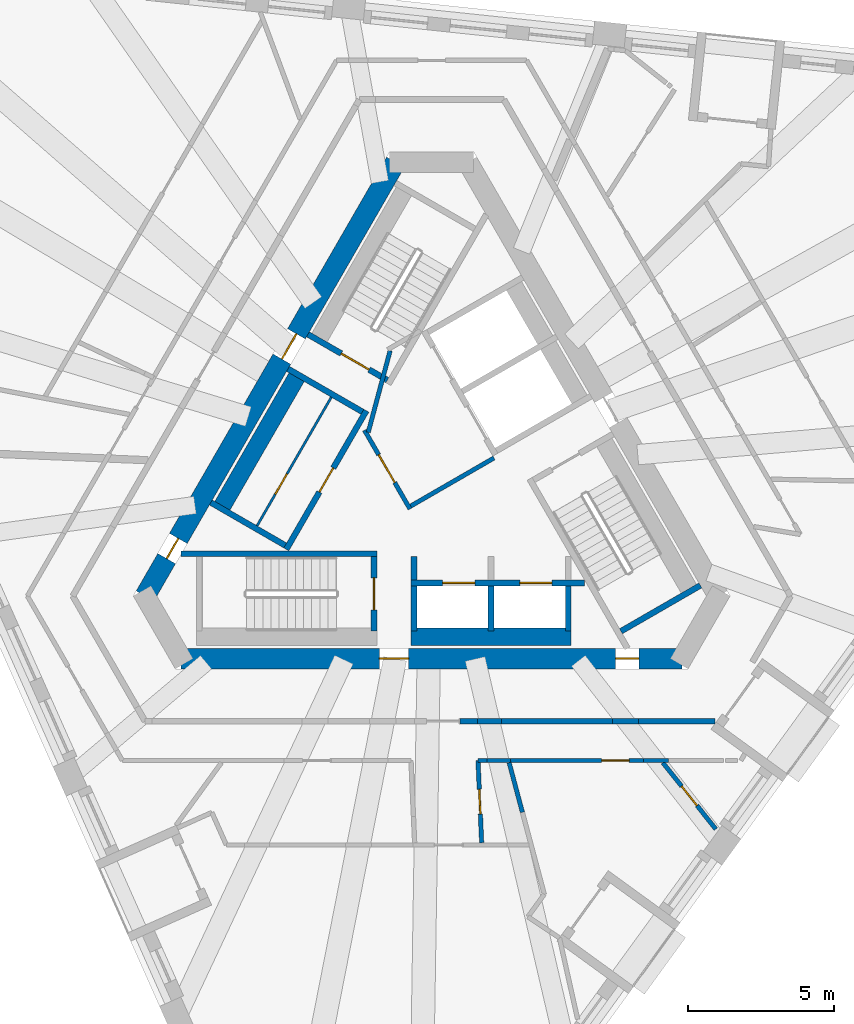
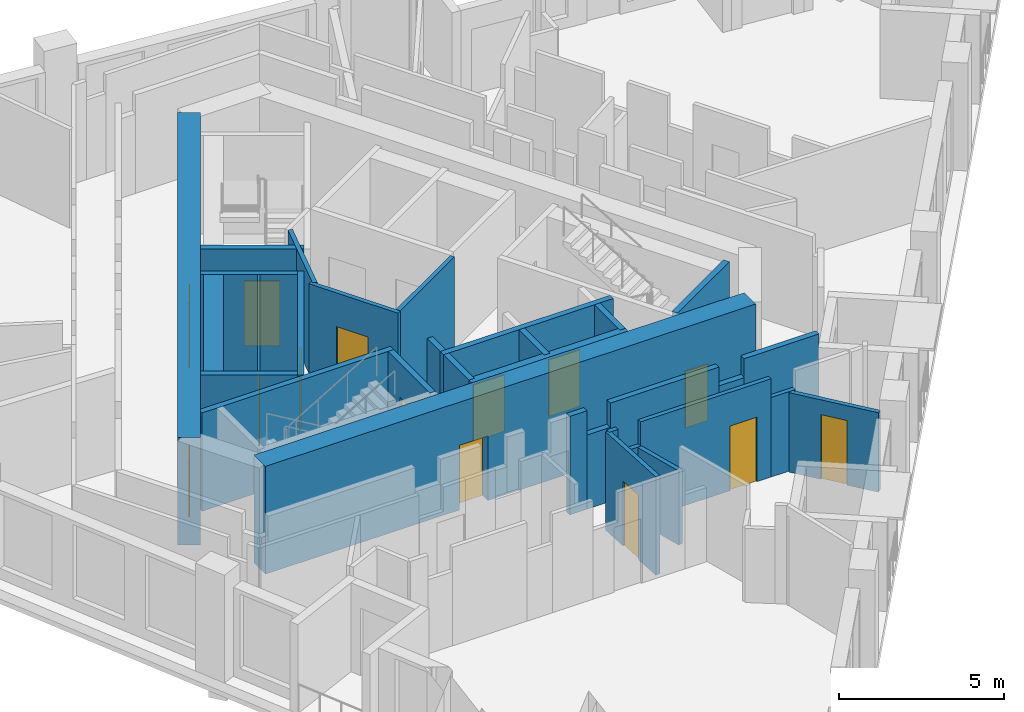
# One storey, part 4 of 11: 32 walls, 14 doors, 14 openings.
"""IFC4 building model written with IfcOpenShell, lengths in metres."""

import ifcopenshell
import ifcopenshell.guid

model = None  # the IFC model being written
_history = None  # IfcOwnerHistory: only IFC2X3 demands one
_inside = {}  # id of a spatial element -> (the spatial element, [elements in it])
_under = {}  # id of a project, library or spatial element -> (it, [spatial elements below it])
_declared = {}  # id of a project -> (the project, [libraries it declares])
_typed = {}  # id of a type object -> (the type object, [elements of that type])
_made_of = {}  # id of a material, layer set ... -> (it, [elements and type objects made of it])


def new_model(schema):
    """Start an empty IFC model of exactly this schema.

    Asked for "IFC4X3", IfcOpenShell would pick the latest addendum, in which some entities
    have other attributes; the version numbers below select the first issue.
    IFC2X3 requires an IfcOwnerHistory on every rooted entity: one is made here for all.
    """
    global model, _history
    if schema == "IFC4X3":
        model = ifcopenshell.file(schema_version=(4, 3, 0, 0))
    else:
        model = ifcopenshell.file(schema=schema)
    _inside.clear()
    _under.clear()
    _declared.clear()
    _typed.clear()
    _made_of.clear()
    _history = None
    if model.schema == "IFC2X3":
        org = make("IfcOrganization", Name="unknown")
        user = make(
            "IfcPersonAndOrganization",
            ThePerson=make("IfcPerson", FamilyName="unknown"),
            TheOrganization=org,
        )
        app = make(
            "IfcApplication",
            ApplicationDeveloper=org,
            Version="unknown",
            ApplicationFullName="unknown",
            ApplicationIdentifier="unknown",
        )
        _history = make(
            "IfcOwnerHistory",
            OwningUser=user,
            OwningApplication=app,
            ChangeAction="ADDED",
            CreationDate=0,
        )
    return model


def make(cls, **values):
    """One entity of the class cls with the attributes given. An attribute that is None is left unset."""
    return model.create_entity(
        cls, **{name: value for name, value in values.items() if value is not None}
    )


def rooted(cls, **values):
    """An entity with a GlobalId (a new one), such as an element, a storey or a relation."""
    return make(cls, GlobalId=ifcopenshell.guid.new(), OwnerHistory=_history, **values)


def si_unit(unit_type, name, prefix=None):
    """IfcSIUnit, for example si_unit("LENGTHUNIT", "METRE", prefix="MILLI")."""
    return make("IfcSIUnit", UnitType=unit_type, Prefix=prefix, Name=name)


def assignment(units):
    """IfcUnitAssignment: the units of a project."""
    return None if units is None else make("IfcUnitAssignment", Units=units)


def point(xyz):
    """IfcCartesianPoint."""
    return None if xyz is None else make("IfcCartesianPoint", Coordinates=xyz)


def direction(xyz):
    """IfcDirection."""
    return None if xyz is None else make("IfcDirection", DirectionRatios=xyz)


def frame(location, z_axis=None, x_axis=None):
    """IfcAxis2Placement3D, a coordinate frame: its origin and axes. An axis left out is left unset."""
    return make(
        "IfcAxis2Placement3D",
        Location=point(location),
        Axis=direction(z_axis),
        RefDirection=direction(x_axis),
    )


def frame_2d(location, x_axis=None):
    """IfcAxis2Placement2D, a coordinate frame in the plane: its origin and x axis."""
    return make(
        "IfcAxis2Placement2D", Location=point(location), RefDirection=direction(x_axis)
    )


def origin():
    """The frame at (0, 0, 0) with its axes left unset."""
    return frame((0.0, 0.0, 0.0))


def place(relative_to, where):
    """IfcLocalPlacement: puts the frame where relative to a parent placement (None: the world)."""
    return make(
        "IfcLocalPlacement", PlacementRelTo=relative_to, RelativePlacement=where
    )


def context(
    kind, dimensions, precision=None, world=None, true_north=None, identifier=None
):
    """IfcGeometricRepresentationContext, for example the 3D "Model" context."""
    return make(
        "IfcGeometricRepresentationContext",
        ContextIdentifier=identifier,
        ContextType=kind,
        CoordinateSpaceDimension=dimensions,
        Precision=precision,
        WorldCoordinateSystem=world,
        TrueNorth=true_north,
    )


def subcontext(parent, identifier, kind, view, scale=None):
    """IfcGeometricRepresentationSubContext, for example "Body" below "Model"."""
    return make(
        "IfcGeometricRepresentationSubContext",
        ContextIdentifier=identifier,
        ContextType=kind,
        ParentContext=parent,
        TargetScale=scale,
        TargetView=view,
    )


def project(units=None, contexts=None):
    """IfcProject with its units and contexts."""
    return rooted(
        "IfcProject",
        Name="project",
        RepresentationContexts=contexts,
        UnitsInContext=assignment(units),
    )


def spatial(cls, under=None, at=None, **own):
    """A site, building, storey or space (cls), placed at a placement, below another one or the project."""
    s = rooted(cls, ObjectPlacement=at, **own)
    if under is not None:
        _under.setdefault(under.id(), (under, []))[1].append(s)
    return s


def profile(cls, at=None, kind="AREA", **sizes):
    """A parametric profile (cls). Its sizes go by their IFC names, for example OverallWidth=200.0."""
    return make(cls, ProfileType=kind, Position=at, **sizes)


def rectangle(**sizes):
    """IfcRectangleProfileDef."""
    return profile("IfcRectangleProfileDef", **sizes)


def extrude(swept, where, along, depth):
    """IfcExtrudedAreaSolid: the profile swept, set in the frame where, extruded along a direction by depth."""
    return make(
        "IfcExtrudedAreaSolid",
        SweptArea=swept,
        Position=where,
        ExtrudedDirection=direction(along),
        Depth=depth,
    )


def shape(context_of_items, identifier, shape_type, items):
    """IfcShapeRepresentation: the items that make up one representation, for example the "Body"."""
    return make(
        "IfcShapeRepresentation",
        ContextOfItems=context_of_items,
        RepresentationIdentifier=identifier,
        RepresentationType=shape_type,
        Items=items,
    )


def material(Name=None, Category=None):
    """IfcMaterial."""
    return make("IfcMaterial", Name=Name, Category=Category)


def layer(
    of_material, thickness, ventilated=None, Name=None, Category=None, Priority=None
):
    """IfcMaterialLayer: one layer of a wall or slab, of a material (None: an air gap)."""
    return make(
        "IfcMaterialLayer",
        Material=of_material,
        LayerThickness=thickness,
        IsVentilated=ventilated,
        Name=Name,
        Category=Category,
        Priority=Priority,
    )


def layer_set(layers, Name=None):
    """IfcMaterialLayerSet."""
    return make("IfcMaterialLayerSet", MaterialLayers=layers, LayerSetName=Name)


def made_of(thing, what):
    """Note that an element or type object is made of a material, layer set ...; save() writes the relation."""
    if what is not None:
        _made_of.setdefault(what.id(), (what, []))[1].append(thing)
    return thing


def type_object(cls, material=None, **own):
    """A type object (cls), such as IfcWallType, which elements share."""
    return made_of(rooted(cls, **own), material)


def element(
    cls,
    number,
    at=None,
    inside=None,
    cuts=None,
    type_object=None,
    material=None,
    context=None,
    identifier="Body",
    shape_type=None,
    held_by="IfcProductDefinitionShape",
    body=None,
    shapes=None,
    **own,
):
    """One element of the class cls, such as IfcWall. Its Tag is "e" and its number.

    at: its placement. inside: the storey or other place that contains it. cuts: it is an
    opening in that element (IfcRelVoidsElement). A single representation is given by context,
    identifier, shape_type and body (its items); several are given by shapes. held_by: the class
    of the entity that holds the representations. save() writes the other relations.
    """
    e = rooted(cls, Tag="e%d" % number, ObjectPlacement=at, **own)
    if body is not None:
        shapes = [shape(context, identifier, shape_type, body)]
    if shapes is not None:
        e.Representation = make(held_by, Representations=shapes)
    if inside is not None:
        _inside.setdefault(inside.id(), (inside, []))[1].append(e)
    if cuts is not None:
        rooted(
            "IfcRelVoidsElement", RelatingBuildingElement=cuts, RelatedOpeningElement=e
        )
    if type_object is not None:
        _typed.setdefault(type_object.id(), (type_object, []))[1].append(e)
    return made_of(e, material)


def fill(opening, filler):
    """IfcRelFillsElement: the door or window that sits in an opening."""
    return rooted(
        "IfcRelFillsElement",
        RelatingOpeningElement=opening,
        RelatedBuildingElement=filler,
    )


def aggregate(whole, parts):
    """IfcRelAggregates: a whole, such as a stair, and the parts it consists of."""
    return rooted("IfcRelAggregates", RelatingObject=whole, RelatedObjects=parts)


def save(model, path):
    """Write the relations noted so far, then the file.

    IfcRelAggregates (storeys below a building ...), IfcRelContainedInSpatialStructure (elements
    in a storey), IfcRelDefinesByType, IfcRelAssociatesMaterial and IfcRelDeclares: one each for
    every whole, place, type object, material and project.
    """
    for whole, parts in _under.values():
        aggregate(whole, parts)
    for where, things in _inside.values():
        rooted(
            "IfcRelContainedInSpatialStructure",
            RelatedElements=things,
            RelatingStructure=where,
        )
    for kind, things in _typed.values():
        rooted("IfcRelDefinesByType", RelatedObjects=things, RelatingType=kind)
    for what, things in _made_of.values():
        rooted("IfcRelAssociatesMaterial", RelatedObjects=things, RelatingMaterial=what)
    for by, libraries in _declared.values():
        rooted("IfcRelDeclares", RelatingContext=by, RelatedDefinitions=libraries)
    model.write(path)


model = new_model("IFC4")

# Units and contexts
model_context = context("Model", 3, precision=1e-05, world=origin(), true_north=direction((0.0, 1.0)))
body_context = subcontext(model_context, "Body", "Model", "MODEL_VIEW")
ifc_project = project(units=[si_unit("LENGTHUNIT", "METRE"), si_unit("AREAUNIT", "SQUARE_METRE"), si_unit("VOLUMEUNIT", "CUBIC_METRE"), si_unit("PLANEANGLEUNIT", "RADIAN"), si_unit("MASSUNIT", "GRAM", prefix="KILO")], contexts=[model_context])

# Site, building, storey
site_placement = place(None, origin())
site = spatial("IfcSite", under=ifc_project, at=site_placement, CompositionType="ELEMENT")
building_placement = place(site_placement, origin())
building = spatial("IfcBuilding", under=site, at=building_placement, Name="Tramontana Tower", CompositionType="ELEMENT")
storey_placement = place(building_placement, frame((0.0, 0.0, 261.199951171875)))
storey = spatial("IfcBuildingStorey", under=building, at=storey_placement, Name="L61", CompositionType="ELEMENT", Elevation=261.199951171875)

# Wall, openings, doors
ifc_material_1 = material(Name="Concrete 70 MPa", Category="concrete")
ifc_layer_1 = layer(ifc_material_1, 0.699951171875)
ifc_layer_set_1 = layer_set([ifc_layer_1], Name="Core wall 700 70 MPa")
wall_type_1 = type_object("IfcWallType", Name="Core wall 700 70 MPa", PredefinedType="SHEAR", material=ifc_layer_set_1)
wall_1_placement = place(storey_placement, frame((-1.2412109375, 10.64990234375, 0.0), z_axis=(0.0, 0.0, 1.0), x_axis=(-0.500003331888, -0.866023480109, 0.0)))
wall_1 = element("IfcWall", 1, at=wall_1_placement, inside=storey, type_object=wall_type_1, Name="Core wall C1 L61", PredefinedType="SHEAR", context=body_context, shape_type="SweptSolid", body=[
    extrude(rectangle(XDim=17.205078125, YDim=0.699951171875, at=frame_2d((8.6025390625, 0.0))), origin(), (0.0, 0.0, 1.0), 4.0),
])
opening_1_placement = place(wall_1_placement, frame((6.8076171875, 0.0, 0.0)))
opening_1 = element("IfcOpeningElement", 2, at=opening_1_placement, cuts=wall_1, Name="Opening RG1", PredefinedType="OPENING", context=body_context, shape_type="SweptSolid", body=[
    extrude(rectangle(XDim=1.0, YDim=2.39990234375, at=frame_2d((0.5, 1.199951171875))), frame((0.0, 0.35986328125, 0.0), z_axis=(0.0, -1.0, 0.0), x_axis=(1.0, 0.0, 0.0)), (0.0, 0.0, 1.0), 0.719970703125),
])
opening_2_placement = place(wall_1_placement, frame((14.921630859375, 0.0, 0.0)))
opening_2 = element("IfcOpeningElement", 3, at=opening_2_placement, cuts=wall_1, Name="Opening PD1", PredefinedType="OPENING", context=body_context, shape_type="SweptSolid", body=[
    extrude(rectangle(XDim=0.800048828125, YDim=2.10009765625, at=frame_2d((0.39990234375, 1.050048828125))), frame((0.0, 0.35986328125, 0.0), z_axis=(0.0, -1.0, 0.0), x_axis=(1.0, 0.0, 0.0)), (0.0, 0.0, 1.0), 0.719970703125),
])
ifc_material_2 = material(Name="Painted steel", Category="steel")
door_type_1 = type_object("IfcDoorType", Name="CUPBOARD DOOR 800", OperationType="SINGLE_SWING_LEFT", PredefinedType="DOOR", material=ifc_material_2)
door_1_placement = place(opening_2_placement, origin())
door_1 = element("IfcDoor", 4, at=door_1_placement, inside=storey, type_object=door_type_1, Name="Door PD1", OperationType="SINGLE_SWING_LEFT", OverallHeight=2.10009765625, OverallWidth=0.800048828125, PredefinedType="DOOR", context=body_context, shape_type="SweptSolid", body=[
    extrude(rectangle(XDim=0.800048828125, YDim=2.10009765625, at=frame_2d((0.39990234375, 1.050048828125))), frame((0.0, 0.02490234375, 0.0), z_axis=(0.0, -1.0, 0.0), x_axis=(1.0, 0.0, 0.0)), (0.0, 0.0, 1.0), 0.050048828125),
])
fill(opening_2, door_1)
ifc_material_3 = material(Name="Painted steel", Category="steel")
door_type_2 = type_object("IfcDoorType", Name="RING DOOR 1000", OperationType="SINGLE_SWING_LEFT", PredefinedType="DOOR", material=ifc_material_3)
door_2_placement = place(opening_1_placement, origin())
door_2 = element("IfcDoor", 5, at=door_2_placement, inside=storey, type_object=door_type_2, Name="Door RG1", OperationType="SINGLE_SWING_RIGHT", OverallHeight=2.39990234375, OverallWidth=1.0, PredefinedType="DOOR", context=body_context, shape_type="SweptSolid", body=[
    extrude(rectangle(XDim=1.0, YDim=2.39990234375, at=frame_2d((0.5, 1.199951171875))), frame((0.0, 0.02490234375, 0.0), z_axis=(0.0, -1.0, 0.0), x_axis=(1.0, 0.0, 0.0)), (0.0, 0.0, 1.0), 0.050048828125),
])
fill(opening_1, door_2)

wall_2_placement = place(storey_placement, frame((-8.6025390625, -6.39990234375, 0.0), z_axis=(0.0, 0.0, 1.0), x_axis=(1.0, 0.0, 0.0)))
wall_2 = element("IfcWall", 6, at=wall_2_placement, inside=storey, type_object=wall_type_1, Name="Core wall C3 L61", PredefinedType="SHEAR", context=body_context, shape_type="SweptSolid", body=[
    extrude(rectangle(XDim=17.205078125, YDim=0.699951171875, at=frame_2d((8.6025390625, 0.0))), origin(), (0.0, 0.0, 1.0), 4.0),
])
opening_3_placement = place(wall_2_placement, frame((6.8076171875, 0.0, 0.0)))
opening_3 = element("IfcOpeningElement", 7, at=opening_3_placement, cuts=wall_2, Name="Opening RG2", PredefinedType="OPENING", context=body_context, shape_type="SweptSolid", body=[
    extrude(rectangle(XDim=1.0, YDim=2.39990234375, at=frame_2d((0.5, 1.199951171875))), frame((0.0, 0.35986328125, 0.0), z_axis=(0.0, -1.0, 0.0), x_axis=(1.0, 0.0, 0.0)), (0.0, 0.0, 1.0), 0.719970703125),
])
opening_4_placement = place(wall_2_placement, frame((14.921630859375, 0.0, 0.0)))
opening_4 = element("IfcOpeningElement", 8, at=opening_4_placement, cuts=wall_2, Name="Opening PD2", PredefinedType="OPENING", context=body_context, shape_type="SweptSolid", body=[
    extrude(rectangle(XDim=0.800048828125, YDim=2.10009765625, at=frame_2d((0.39990234375, 1.050048828125))), frame((0.0, 0.35986328125, 0.0), z_axis=(0.0, -1.0, 0.0), x_axis=(1.0, 0.0, 0.0)), (0.0, 0.0, 1.0), 0.719970703125),
])
door_3_placement = place(opening_4_placement, origin())
door_3 = element("IfcDoor", 9, at=door_3_placement, inside=storey, type_object=door_type_1, Name="Door PD2", OperationType="SINGLE_SWING_RIGHT", OverallHeight=2.10009765625, OverallWidth=0.800048828125, PredefinedType="DOOR", context=body_context, shape_type="SweptSolid", body=[
    extrude(rectangle(XDim=0.800048828125, YDim=2.10009765625, at=frame_2d((0.39990234375, 1.050048828125))), frame((0.0, 0.02490234375, 0.0), z_axis=(0.0, -1.0, 0.0), x_axis=(1.0, 0.0, 0.0)), (0.0, 0.0, 1.0), 0.050048828125),
])
fill(opening_4, door_3)
door_4_placement = place(opening_3_placement, origin())
door_4 = element("IfcDoor", 10, at=door_4_placement, inside=storey, type_object=door_type_2, Name="Door RG2", OperationType="SINGLE_SWING_LEFT", OverallHeight=2.39990234375, OverallWidth=1.0, PredefinedType="DOOR", context=body_context, shape_type="SweptSolid", body=[
    extrude(rectangle(XDim=1.0, YDim=2.39990234375, at=frame_2d((0.5, 1.199951171875))), frame((0.0, 0.02490234375, 0.0), z_axis=(0.0, -1.0, 0.0), x_axis=(1.0, 0.0, 0.0)), (0.0, 0.0, 1.0), 0.050048828125),
])
fill(opening_3, door_4)

# Walls
ifc_material_4 = material(Name="Blockwork", Category="masonry")
ifc_layer_2 = layer(ifc_material_4, 0.199951171875)
ifc_layer_set_2 = layer_set([ifc_layer_2], Name="ENTRY WALL 200")
wall_type_2 = type_object("IfcWallType", Name="ENTRY WALL 200", PredefinedType="SOLIDWALL", material=ifc_layer_set_2)
wall_3_placement = place(storey_placement, frame((9.724609375, -8.550048828125, 0.0), z_axis=(0.0, 0.0, 1.0), x_axis=(-1.0, 0.0, 0.0)))
element("IfcWall", 11, at=wall_3_placement, inside=storey, type_object=wall_type_2, Name="Wall v62-ew1-0", PredefinedType="SOLIDWALL", context=body_context, shape_type="SweptSolid", body=[
    extrude(rectangle(XDim=2.62548828125, YDim=0.199951171875, at=frame_2d((1.312744140625, 0.0))), origin(), (0.0, 0.0, 1.0), 3.650146484375),
])
wall_4_placement = place(storey_placement, frame((7.09912109375, -8.550048828125, 0.0), z_axis=(0.0, 0.0, 1.0), x_axis=(-1.0, 0.0, 0.0)))
element("IfcWall", 12, at=wall_4_placement, inside=storey, type_object=wall_type_2, Name="Wall v62-ew1-1", PredefinedType="SOLIDWALL", context=body_context, shape_type="SweptSolid", body=[
    extrude(rectangle(XDim=0.88720703125, YDim=0.199951171875, at=frame_2d((0.443603515625, 0.0))), origin(), (0.0, 0.0, 1.0), 2.949951171875),
])
wall_5_placement = place(storey_placement, frame((6.2119140625, -8.550048828125, 0.0), z_axis=(0.0, 0.0, 1.0), x_axis=(-1.0, 0.0, 0.0)))
element("IfcWall", 13, at=wall_5_placement, inside=storey, type_object=wall_type_2, Name="Wall v62-ew1-2", PredefinedType="SOLIDWALL", context=body_context, shape_type="SweptSolid", body=[
    extrude(rectangle(XDim=3.810546875, YDim=0.199951171875, at=frame_2d((1.9052734375, 0.0))), origin(), (0.0, 0.0, 1.0), 3.650146484375),
])
wall_6_placement = place(storey_placement, frame((2.4013671875, -8.550048828125, 0.0), z_axis=(0.0, 0.0, 1.0), x_axis=(-1.0, 0.0, 0.0)))
element("IfcWall", 14, at=wall_6_placement, inside=storey, type_object=wall_type_2, Name="Wall v62-ew1-3", PredefinedType="SOLIDWALL", context=body_context, shape_type="SweptSolid", body=[
    extrude(rectangle(XDim=0.8212890625, YDim=0.199951171875, at=frame_2d((0.41064453125, 0.0))), origin(), (0.0, 0.0, 1.0), 2.75),
])
wall_7_placement = place(storey_placement, frame((1.580078125, -8.550048828125, 0.0), z_axis=(0.0, 0.0, 1.0), x_axis=(-1.0, 0.0, 0.0)))
element("IfcWall", 15, at=wall_7_placement, inside=storey, type_object=wall_type_2, Name="Wall v62-ew1-4", PredefinedType="SOLIDWALL", context=body_context, shape_type="SweptSolid", body=[
    extrude(rectangle(XDim=0.599609375, YDim=0.199951171875, at=frame_2d((0.2998046875, 0.0))), origin(), (0.0, 0.0, 1.0), 3.650146484375),
])

# Wall, opening, door
ifc_material_5 = material(Name="Gypsum board partition")
ifc_layer_3 = layer(ifc_material_5, 0.14990234375)
ifc_layer_set_3 = layer_set([ifc_layer_3], Name="PARTITION 150")
wall_type_3 = type_object("IfcWallType", Name="PARTITION 150", PredefinedType="PARTITIONING", material=ifc_layer_set_3)
wall_8_placement = place(storey_placement, frame((-0.744140625, -1.260986328125, 0.0), z_axis=(0.0, 0.0, 1.0), x_axis=(-0.500004234368, 0.866022959057, 0.0)))
wall_8 = element("IfcWall", 16, at=wall_8_placement, inside=storey, type_object=wall_type_3, Name="Wall ff-front", PredefinedType="PARTITIONING", context=body_context, shape_type="SweptSolid", body=[
    extrude(rectangle(XDim=3.125, YDim=0.14990234375, at=frame_2d((1.5625, 0.0))), origin(), (0.0, 0.0, 1.0), 3.650146484375),
])
opening_5_placement = place(wall_8_placement, frame((1.050048828125, 0.0, 0.0)))
opening_5 = element("IfcOpeningElement", 17, at=opening_5_placement, cuts=wall_8, Name="Opening FD1", PredefinedType="OPENING", context=body_context, shape_type="SweptSolid", body=[
    extrude(rectangle(XDim=1.10009765625, YDim=2.39990234375, at=frame_2d((0.550048828125, 1.199951171875))), frame((0.0, 0.0849609375, 0.0), z_axis=(0.0, -1.0, 0.0), x_axis=(1.0, 0.0, 0.0)), (0.0, 0.0, 1.0), 0.169921875),
])
ifc_material_6 = material(Name="Painted timber", Category="wood")
door_type_3 = type_object("IfcDoorType", Name="DOOR ENTRY 1100", OperationType="SINGLE_SWING_LEFT", PredefinedType="DOOR", material=ifc_material_6)
door_5_placement = place(opening_5_placement, origin())
door_5 = element("IfcDoor", 18, at=door_5_placement, inside=storey, type_object=door_type_3, Name="Door FD1", OperationType="SINGLE_SWING_LEFT", OverallHeight=2.39990234375, OverallWidth=1.10009765625, PredefinedType="DOOR", context=body_context, shape_type="SweptSolid", body=[
    extrude(rectangle(XDim=1.10009765625, YDim=2.39990234375, at=frame_2d((0.550048828125, 1.199951171875))), frame((0.0, 0.02490234375, 0.0), z_axis=(0.0, -1.0, 0.0), x_axis=(1.0, 0.0, 0.0)), (0.0, 0.0, 1.0), 0.050048828125),
])
fill(opening_5, door_5)

# Walls
wall_9_placement = place(storey_placement, frame((-0.716796875, -1.15869140625, 0.0), z_axis=(0.0, 0.0, 1.0), x_axis=(0.866008176907, 0.50002983664, 0.0)))
element("IfcWall", 19, at=wall_9_placement, inside=storey, type_object=wall_type_3, Name="Wall ff-end0", PredefinedType="PARTITIONING", context=body_context, shape_type="SweptSolid", body=[
    extrude(rectangle(XDim=3.300048828125, YDim=0.14990234375, at=frame_2d((1.64990234375, 0.0))), origin(), (0.0, 0.0, 1.0), 3.650146484375),
])
wall_10_placement = place(storey_placement, frame((-2.177978515625, 1.372314453125, 0.0), z_axis=(0.0, 0.0, 1.0), x_axis=(0.258808958833, 0.96592852884, 0.0)))
element("IfcWall", 20, at=wall_10_placement, inside=storey, type_object=wall_type_3, Name="Wall ff-diag", PredefinedType="PARTITIONING", context=body_context, shape_type="SweptSolid", body=[
    extrude(rectangle(XDim=2.902587890625, YDim=0.14990234375, at=frame_2d((1.451171875, 0.0))), origin(), (0.0, 0.0, 1.0), 3.650146484375),
])

# Wall, opening, door
wall_11_placement = place(storey_placement, frame((1.591796875, -9.89990234375, 0.0), z_axis=(0.0, 0.0, 1.0), x_axis=(0.044459968101, -0.999011166723, 0.0)))
wall_11 = element("IfcWall", 21, at=wall_11_placement, inside=storey, type_object=wall_type_3, Name="Wall v62-pw13", PredefinedType="PARTITIONING", context=body_context, shape_type="SweptSolid", body=[
    extrude(rectangle(XDim=2.827880859375, YDim=0.14990234375, at=frame_2d((1.4140625, 0.0))), origin(), (0.0, 0.0, 1.0), 3.650146484375),
])
opening_6_placement = place(wall_11_placement, frame((0.989013671875, 0.0, 0.0)))
opening_6 = element("IfcOpeningElement", 22, at=opening_6_placement, cuts=wall_11, Name="Opening B6C-06", PredefinedType="OPENING", context=body_context, shape_type="SweptSolid", body=[
    extrude(rectangle(XDim=0.85009765625, YDim=2.39990234375, at=frame_2d((0.425048828125, 1.199951171875))), frame((0.0, 0.0849609375, 0.0), z_axis=(0.0, -1.0, 0.0), x_axis=(1.0, 0.0, 0.0)), (0.0, 0.0, 1.0), 0.169921875),
])
ifc_material_7 = material(Name="Painted timber", Category="wood")
door_type_4 = type_object("IfcDoorType", Name="DOOR BATH 850", OperationType="SINGLE_SWING_LEFT", PredefinedType="DOOR", material=ifc_material_7)
door_6_placement = place(opening_6_placement, origin())
door_6 = element("IfcDoor", 23, at=door_6_placement, inside=storey, type_object=door_type_4, Name="Door B6C-06", OperationType="SINGLE_SWING_RIGHT", OverallHeight=2.39990234375, OverallWidth=0.85009765625, PredefinedType="DOOR", context=body_context, shape_type="SweptSolid", body=[
    extrude(rectangle(XDim=0.85009765625, YDim=2.39990234375, at=frame_2d((0.425048828125, 1.199951171875))), frame((0.0, 0.02490234375, 0.0), z_axis=(0.0, -1.0, 0.0), x_axis=(1.0, 0.0, 0.0)), (0.0, 0.0, 1.0), 0.050048828125),
])
fill(opening_6, door_6)

# Wall
wall_12_placement = place(storey_placement, frame((2.662353515625, -9.97509765625, 0.0), z_axis=(0.0, 0.0, 1.0), x_axis=(0.25785226736, -0.966184355192, 0.0)))
element("IfcWall", 24, at=wall_12_placement, inside=storey, type_object=wall_type_3, Name="Wall v62-pw14-0", PredefinedType="PARTITIONING", context=body_context, shape_type="SweptSolid", body=[
    extrude(rectangle(XDim=1.762939453125, YDim=0.14990234375, at=frame_2d((0.88134765625, 0.0))), origin(), (0.0, 0.0, 1.0), 2.75),
])

# Wall, opening, door
wall_13_placement = place(storey_placement, frame((7.942626953125, -9.97509765625, 0.0), z_axis=(0.0, 0.0, 1.0), x_axis=(0.622917295976, -0.782287697956, 0.0)))
wall_13 = element("IfcWall", 25, at=wall_13_placement, inside=storey, type_object=wall_type_3, Name="Wall v62-pw28-0", PredefinedType="PARTITIONING", context=body_context, shape_type="SweptSolid", body=[
    extrude(rectangle(XDim=2.916748046875, YDim=0.14990234375, at=frame_2d((1.45849609375, 0.0))), origin(), (0.0, 0.0, 1.0), 2.949951171875),
])
opening_7_placement = place(wall_13_placement, frame((1.033447265625, 0.0, 0.0)))
opening_7 = element("IfcOpeningElement", 26, at=opening_7_placement, cuts=wall_13, Name="Opening B6C-10", PredefinedType="OPENING", context=body_context, shape_type="SweptSolid", body=[
    extrude(rectangle(XDim=0.85009765625, YDim=2.39990234375, at=frame_2d((0.425048828125, 1.199951171875))), frame((0.0, 0.0849609375, 0.0), z_axis=(0.0, -1.0, 0.0), x_axis=(1.0, 0.0, 0.0)), (0.0, 0.0, 1.0), 0.169921875),
])
door_7_placement = place(opening_7_placement, origin())
door_7 = element("IfcDoor", 27, at=door_7_placement, inside=storey, type_object=door_type_4, Name="Door B6C-10", OperationType="SINGLE_SWING_RIGHT", OverallHeight=2.39990234375, OverallWidth=0.85009765625, PredefinedType="DOOR", context=body_context, shape_type="SweptSolid", body=[
    extrude(rectangle(XDim=0.85009765625, YDim=2.39990234375, at=frame_2d((0.425048828125, 1.199951171875))), frame((0.0, 0.02490234375, 0.0), z_axis=(0.0, -1.0, 0.0), x_axis=(1.0, 0.0, 0.0)), (0.0, 0.0, 1.0), 0.050048828125),
])
fill(opening_7, door_7)

# Wall
wall_14_placement = place(storey_placement, frame((8.134033203125, -9.89990234375, 0.0), z_axis=(0.0, 0.0, 1.0), x_axis=(-1.0, 0.0, 0.0)))
element("IfcWall", 28, at=wall_14_placement, inside=storey, type_object=wall_type_3, Name="Wall v62-pw29-1", PredefinedType="PARTITIONING", context=body_context, shape_type="SweptSolid", body=[
    extrude(rectangle(XDim=0.85546875, YDim=0.14990234375, at=frame_2d((0.427734375, 0.0))), origin(), (0.0, 0.0, 1.0), 2.949951171875),
])

# Wall, opening, door
wall_15_placement = place(storey_placement, frame((7.278564453125, -9.89990234375, 0.0), z_axis=(0.0, 0.0, 1.0), x_axis=(-1.0, 0.0, 0.0)))
wall_15 = element("IfcWall", 29, at=wall_15_placement, inside=storey, type_object=wall_type_3, Name="Wall v62-pw29-2", PredefinedType="PARTITIONING", context=body_context, shape_type="SweptSolid", body=[
    extrude(rectangle(XDim=4.57568359375, YDim=0.14990234375, at=frame_2d((2.287841796875, 0.0))), origin(), (0.0, 0.0, 1.0), 3.650146484375),
])
opening_8_placement = place(wall_15_placement, frame((0.492919921875, 0.0, 0.0)))
opening_8 = element("IfcOpeningElement", 30, at=opening_8_placement, cuts=wall_15, Name="Opening B6C-09", PredefinedType="OPENING", context=body_context, shape_type="SweptSolid", body=[
    extrude(rectangle(XDim=0.949951171875, YDim=2.39990234375, at=frame_2d((0.47509765625, 1.199951171875))), frame((0.0, 0.0849609375, 0.0), z_axis=(0.0, -1.0, 0.0), x_axis=(1.0, 0.0, 0.0)), (0.0, 0.0, 1.0), 0.169921875),
])
ifc_material_8 = material(Name="Painted timber", Category="wood")
door_type_5 = type_object("IfcDoorType", Name="DOOR ROOM 950", OperationType="SINGLE_SWING_LEFT", PredefinedType="DOOR", material=ifc_material_8)
door_8_placement = place(opening_8_placement, origin())
door_8 = element("IfcDoor", 31, at=door_8_placement, inside=storey, type_object=door_type_5, Name="Door B6C-09", OperationType="SINGLE_SWING_LEFT", OverallHeight=2.39990234375, OverallWidth=0.949951171875, PredefinedType="DOOR", context=body_context, shape_type="SweptSolid", body=[
    extrude(rectangle(XDim=0.949951171875, YDim=2.39990234375, at=frame_2d((0.47509765625, 1.199951171875))), frame((0.0, 0.02490234375, 0.0), z_axis=(0.0, -1.0, 0.0), x_axis=(1.0, 0.0, 0.0)), (0.0, 0.0, 1.0), 0.050048828125),
])
fill(opening_8, door_8)

# Walls
wall_16_placement = place(storey_placement, frame((2.702880859375, -9.89990234375, 0.0), z_axis=(0.0, 0.0, 1.0), x_axis=(-1.0, 0.0, 0.0)))
element("IfcWall", 32, at=wall_16_placement, inside=storey, type_object=wall_type_3, Name="Wall v62-pw29-3", PredefinedType="PARTITIONING", context=body_context, shape_type="SweptSolid", body=[
    extrude(rectangle(XDim=0.795654296875, YDim=0.14990234375, at=frame_2d((0.39794921875, 0.0))), origin(), (0.0, 0.0, 1.0), 2.75),
])
wall_17_placement = place(storey_placement, frame((1.9072265625, -9.89990234375, 0.0), z_axis=(0.0, 0.0, 1.0), x_axis=(-1.0, 0.0, 0.0)))
element("IfcWall", 33, at=wall_17_placement, inside=storey, type_object=wall_type_3, Name="Wall v62-pw29-4", PredefinedType="PARTITIONING", context=body_context, shape_type="SweptSolid", body=[
    extrude(rectangle(XDim=0.3154296875, YDim=0.14990234375, at=frame_2d((0.15771484375, 0.0))), origin(), (0.0, 0.0, 1.0), 3.650146484375),
])

# Wall, opening, door
ifc_material_9 = material(Name="Gypsum board partition")
ifc_layer_4 = layer(ifc_material_9, 0.080078125)
ifc_layer_set_4 = layer_set([ifc_layer_4], Name="PARTITION 80")
wall_type_4 = type_object("IfcWallType", Name="PARTITION 80", PredefinedType="PARTITIONING", material=ifc_layer_set_4)
wall_18_placement = place(storey_placement, frame((-5.997314453125, -1.837646484375, 0.0), z_axis=(0.0, 0.0, 1.0), x_axis=(0.500005610874, 0.86602216432, 0.0)))
wall_18 = element("IfcWall", 34, at=wall_18_placement, inside=storey, type_object=wall_type_4, Name="Wall row0-split", PredefinedType="PARTITIONING", context=body_context, shape_type="SweptSolid", body=[
    extrude(rectangle(XDim=5.10009765625, YDim=0.080078125, at=frame_2d((2.550048828125, 0.0))), origin(), (0.0, 0.0, 1.0), 3.650146484375),
])
opening_9_placement = place(wall_18_placement, frame((1.25, 0.0, 0.0)))
opening_9 = element("IfcOpeningElement", 35, at=opening_9_placement, cuts=wall_18, Name="Opening RD-0B", PredefinedType="OPENING", context=body_context, shape_type="SweptSolid", body=[
    extrude(rectangle(XDim=0.800048828125, YDim=2.10009765625, at=frame_2d((0.39990234375, 1.050048828125))), frame((0.0, 0.050048828125, 0.0), z_axis=(0.0, -1.0, 0.0), x_axis=(1.0, 0.0, 0.0)), (0.0, 0.0, 1.0), 0.10009765625),
])
door_9_placement = place(opening_9_placement, origin())
door_9 = element("IfcDoor", 36, at=door_9_placement, inside=storey, type_object=door_type_1, Name="Door RD-0B", OperationType="SINGLE_SWING_RIGHT", OverallHeight=2.10009765625, OverallWidth=0.800048828125, PredefinedType="DOOR", context=body_context, shape_type="SweptSolid", body=[
    extrude(rectangle(XDim=0.800048828125, YDim=2.10009765625, at=frame_2d((0.39990234375, 1.050048828125))), frame((0.0, 0.02490234375, 0.0), z_axis=(0.0, -1.0, 0.0), x_axis=(1.0, 0.0, 0.0)), (0.0, 0.0, 1.0), 0.050048828125),
])
fill(opening_9, door_9)

# Walls
ifc_material_10 = material(Name="Concrete 70 MPa", Category="concrete")
ifc_layer_5 = layer(ifc_material_10, 0.60009765625)
ifc_layer_set_5 = layer_set([ifc_layer_5], Name="Concrete 70 MPa, 600 mm")
wall_type_5 = type_object("IfcWallType", Name="RC SHAFT BACK WALL 600", PredefinedType="SOLIDWALL", material=ifc_layer_set_5)
for number, where, z_axis, x_axis, name in (
    (37, (-4.5380859375, 3.43994140625, 0.0), (0.0, 0.0, 1.0), (-0.499996545922, -0.866027397988, 0.0), "Wall row0-back"),
    (38, (-0.7099609375, -5.64990234375, 0.0), (0.0, 0.0, 1.0), (1.0, 0.0, 0.0), "Wall row1-back"),
):
    element("IfcWall", number, at=place(storey_placement, frame(where, z_axis=z_axis, x_axis=x_axis)), inside=storey, type_object=wall_type_5, Name=name, PredefinedType="SOLIDWALL", context=body_context, shape_type="SweptSolid", body=[
        extrude(rectangle(XDim=5.5, YDim=0.60009765625, at=frame_2d((2.75, 0.0))), origin(), (0.0, 0.0, 1.0), 3.650146484375),
    ])

# Wall, opening, door
ifc_material_11 = material(Name="Concrete 70 MPa", Category="concrete")
ifc_layer_6 = layer(ifc_material_11, 0.199951171875)
ifc_layer_set_6 = layer_set([ifc_layer_6], Name="Concrete 70 MPa, 200 mm")
wall_type_6 = type_object("IfcWallType", Name="RC STAIR AND SHAFT WALL 200", PredefinedType="SOLIDWALL", material=ifc_layer_set_6)
wall_19_placement = place(storey_placement, frame((-1.521484375, 3.164794921875, 0.0), z_axis=(0.0, 0.0, 1.0), x_axis=(-0.866035871367, 0.499981869177, 0.0)))
wall_19 = element("IfcWall", 39, at=wall_19_placement, inside=storey, type_object=wall_type_6, Name="Wall st1-near", PredefinedType="SOLIDWALL", context=body_context, shape_type="SweptSolid", body=[
    extrude(rectangle(XDim=3.14990234375, YDim=0.199951171875, at=frame_2d((1.574951171875, 0.0))), origin(), (0.0, 0.0, 1.0), 3.650146484375),
])
opening_10_placement = place(wall_19_placement, frame((0.72509765625, 0.0, 0.0)))
opening_10 = element("IfcOpeningElement", 40, at=opening_10_placement, cuts=wall_19, Name="Opening SD1", PredefinedType="OPENING", context=body_context, shape_type="SweptSolid", body=[
    extrude(rectangle(XDim=1.10009765625, YDim=2.39990234375, at=frame_2d((0.550048828125, 1.199951171875))), frame((0.0, 0.10986328125, 0.0), z_axis=(0.0, -1.0, 0.0), x_axis=(1.0, 0.0, 0.0)), (0.0, 0.0, 1.0), 0.219970703125),
])
ifc_material_12 = material(Name="Painted steel", Category="steel")
door_type_6 = type_object("IfcDoorType", Name="STAIR DOOR 1100", OperationType="SINGLE_SWING_LEFT", PredefinedType="DOOR", material=ifc_material_12)
door_10_placement = place(opening_10_placement, origin())
door_10 = element("IfcDoor", 41, at=door_10_placement, inside=storey, type_object=door_type_6, Name="Door SD1", OperationType="SINGLE_SWING_RIGHT", OverallHeight=2.39990234375, OverallWidth=1.10009765625, PredefinedType="DOOR", context=body_context, shape_type="SweptSolid", body=[
    extrude(rectangle(XDim=1.10009765625, YDim=2.39990234375, at=frame_2d((0.550048828125, 1.199951171875))), frame((0.0, 0.02490234375, 0.0), z_axis=(0.0, -1.0, 0.0), x_axis=(1.0, 0.0, 0.0)), (0.0, 0.0, 1.0), 0.050048828125),
])
fill(opening_10, door_10)

# Wall
wall_20_placement = place(storey_placement, frame((-8.6025390625, -2.800048828125, 0.0), z_axis=(0.0, 0.0, 1.0), x_axis=(1.0, 0.0, 0.0)))
element("IfcWall", 42, at=wall_20_placement, inside=storey, type_object=wall_type_6, Name="Wall st2-front", PredefinedType="SOLIDWALL", context=body_context, shape_type="SweptSolid", body=[
    extrude(rectangle(XDim=6.72265625, YDim=0.199951171875, at=frame_2d((3.361328125, 0.0))), origin(), (0.0, 0.0, 1.0), 3.650146484375),
])

# Wall, opening, door
wall_21_placement = place(storey_placement, frame((-1.97998046875, -2.89990234375, 0.0), z_axis=(0.0, 0.0, 1.0), x_axis=(0.0, -1.0, 0.0)))
wall_21 = element("IfcWall", 43, at=wall_21_placement, inside=storey, type_object=wall_type_6, Name="Wall st2-near", PredefinedType="SOLIDWALL", context=body_context, shape_type="SweptSolid", body=[
    extrude(rectangle(XDim=2.550048828125, YDim=0.199951171875, at=frame_2d((1.27490234375, 0.0))), origin(), (0.0, 0.0, 1.0), 3.650146484375),
])
opening_11_placement = place(wall_21_placement, frame((0.72509765625, 0.0, 0.0)))
opening_11 = element("IfcOpeningElement", 44, at=opening_11_placement, cuts=wall_21, Name="Opening SD2", PredefinedType="OPENING", context=body_context, shape_type="SweptSolid", body=[
    extrude(rectangle(XDim=1.10009765625, YDim=2.39990234375, at=frame_2d((0.550048828125, 1.199951171875))), frame((0.0, 0.10986328125, 0.0), z_axis=(0.0, -1.0, 0.0), x_axis=(1.0, 0.0, 0.0)), (0.0, 0.0, 1.0), 0.219970703125),
])
door_11_placement = place(opening_11_placement, origin())
door_11 = element("IfcDoor", 45, at=door_11_placement, inside=storey, type_object=door_type_6, Name="Door SD2", OperationType="SINGLE_SWING_LEFT", OverallHeight=2.39990234375, OverallWidth=1.10009765625, PredefinedType="DOOR", context=body_context, shape_type="SweptSolid", body=[
    extrude(rectangle(XDim=1.10009765625, YDim=2.39990234375, at=frame_2d((0.550048828125, 1.199951171875))), frame((0.0, 0.02490234375, 0.0), z_axis=(0.0, -1.0, 0.0), x_axis=(1.0, 0.0, 0.0)), (0.0, 0.0, 1.0), 0.050048828125),
])
fill(opening_11, door_11)

# Wall
wall_22_placement = place(storey_placement, frame((6.50146484375, -5.4609375, 0.0), z_axis=(0.0, 0.0, 1.0), x_axis=(0.866035871367, 0.499981869177, 0.0)))
element("IfcWall", 46, at=wall_22_placement, inside=storey, type_object=wall_type_6, Name="Wall st3-far", PredefinedType="SOLIDWALL", context=body_context, shape_type="SweptSolid", body=[
    extrude(rectangle(XDim=3.14990234375, YDim=0.199951171875, at=frame_2d((1.574951171875, 0.0))), origin(), (0.0, 0.0, 1.0), 3.650146484375),
])

# Wall, opening, door
wall_23_placement = place(storey_placement, frame((-4.9931640625, -2.648193359375, 0.0), z_axis=(0.0, 0.0, 1.0), x_axis=(0.499996545922, 0.866027397988, 0.0)))
wall_23 = element("IfcWall", 47, at=wall_23_placement, inside=storey, type_object=wall_type_6, Name="Wall row0-front", PredefinedType="SOLIDWALL", context=body_context, shape_type="SweptSolid", body=[
    extrude(rectangle(XDim=5.5, YDim=0.199951171875, at=frame_2d((2.75, 0.0))), origin(), (0.0, 0.0, 1.0), 3.650146484375),
])
opening_12_placement = place(wall_23_placement, frame((2.27490234375, 0.0, 0.0)))
opening_12 = element("IfcOpeningElement", 48, at=opening_12_placement, cuts=wall_23, Name="Opening RD-0A", PredefinedType="OPENING", context=body_context, shape_type="SweptSolid", body=[
    extrude(rectangle(XDim=0.949951171875, YDim=2.39990234375, at=frame_2d((0.47509765625, 1.199951171875))), frame((0.0, 0.10986328125, 0.0), z_axis=(0.0, -1.0, 0.0), x_axis=(1.0, 0.0, 0.0)), (0.0, 0.0, 1.0), 0.219970703125),
])
door_12_placement = place(opening_12_placement, origin())
door_12 = element("IfcDoor", 49, at=door_12_placement, inside=storey, type_object=door_type_5, Name="Door RD-0A", OperationType="SINGLE_SWING_LEFT", OverallHeight=2.39990234375, OverallWidth=0.949951171875, PredefinedType="DOOR", context=body_context, shape_type="SweptSolid", body=[
    extrude(rectangle(XDim=0.949951171875, YDim=2.39990234375, at=frame_2d((0.47509765625, 1.199951171875))), frame((0.0, 0.02490234375, 0.0), z_axis=(0.0, -1.0, 0.0), x_axis=(1.0, 0.0, 0.0)), (0.0, 0.0, 1.0), 0.050048828125),
])
fill(opening_12, door_12)

# Walls
for number, where, z_axis, x_axis, name in (
    (50, (-2.379638671875, 2.078369140625, 0.0), (0.0, 0.0, 1.0), (-0.866060182126, 0.499939757307, 0.0), "Wall row0-side0"),
    (51, (-5.02978515625, -2.51171875, 0.0), (0.0, 0.0, 1.0), (-0.866003658127, 0.500037662692, 0.0), "Wall row0-side2"),
):
    element("IfcWall", number, at=place(storey_placement, frame(where, z_axis=z_axis, x_axis=x_axis)), inside=storey, type_object=wall_type_6, Name=name, PredefinedType="SOLIDWALL", context=body_context, shape_type="SweptSolid", body=[
        extrude(rectangle(XDim=2.949951171875, YDim=0.199951171875, at=frame_2d((1.47509765625, 0.0))), origin(), (0.0, 0.0, 1.0), 3.650146484375),
    ])

# Wall, openings, doors
wall_24_placement = place(storey_placement, frame((-0.7099609375, -3.800048828125, 0.0), z_axis=(0.0, 0.0, 1.0), x_axis=(1.0, 0.0, 0.0)))
wall_24 = element("IfcWall", 52, at=wall_24_placement, inside=storey, type_object=wall_type_6, Name="Wall row1-front", PredefinedType="SOLIDWALL", context=body_context, shape_type="SweptSolid", body=[
    extrude(rectangle(XDim=5.96142578125, YDim=0.199951171875, at=frame_2d((2.980712890625, 0.0))), origin(), (0.0, 0.0, 1.0), 3.650146484375),
])
opening_13_placement = place(wall_24_placement, frame((1.090087890625, 0.0, 0.0)))
opening_13 = element("IfcOpeningElement", 53, at=opening_13_placement, cuts=wall_24, Name="Opening LD-S1", PredefinedType="OPENING", context=body_context, shape_type="SweptSolid", body=[
    extrude(rectangle(XDim=1.10009765625, YDim=2.10009765625, at=frame_2d((0.550048828125, 1.050048828125))), frame((0.0, 0.10986328125, 0.0), z_axis=(0.0, -1.0, 0.0), x_axis=(1.0, 0.0, 0.0)), (0.0, 0.0, 1.0), 0.219970703125),
])
opening_14_placement = place(wall_24_placement, frame((3.739990234375, 0.0, 0.0)))
opening_14 = element("IfcOpeningElement", 54, at=opening_14_placement, cuts=wall_24, Name="Opening LD-S2", PredefinedType="OPENING", context=body_context, shape_type="SweptSolid", body=[
    extrude(rectangle(XDim=1.10009765625, YDim=2.10009765625, at=frame_2d((0.550048828125, 1.050048828125))), frame((0.0, 0.10986328125, 0.0), z_axis=(0.0, -1.0, 0.0), x_axis=(1.0, 0.0, 0.0)), (0.0, 0.0, 1.0), 0.219970703125),
])
ifc_material_13 = material(Name="Brushed steel", Category="steel")
door_type_7 = type_object("IfcDoorType", Name="LANDING DOOR 1100", OperationType="SINGLE_SWING_LEFT", PredefinedType="DOOR", material=ifc_material_13)
door_13_placement = place(opening_13_placement, origin())
door_13 = element("IfcDoor", 55, at=door_13_placement, inside=storey, type_object=door_type_7, Name="Door LD-S1", OperationType="SLIDING_TO_LEFT", OverallHeight=2.10009765625, OverallWidth=1.10009765625, PredefinedType="DOOR", context=body_context, shape_type="SweptSolid", body=[
    extrude(rectangle(XDim=1.10009765625, YDim=2.10009765625, at=frame_2d((0.550048828125, 1.050048828125))), frame((0.0, 0.02490234375, 0.0), z_axis=(0.0, -1.0, 0.0), x_axis=(1.0, 0.0, 0.0)), (0.0, 0.0, 1.0), 0.050048828125),
])
fill(opening_13, door_13)
door_14_placement = place(opening_14_placement, origin())
door_14 = element("IfcDoor", 56, at=door_14_placement, inside=storey, type_object=door_type_7, Name="Door LD-S2", OperationType="SLIDING_TO_RIGHT", OverallHeight=2.10009765625, OverallWidth=1.10009765625, PredefinedType="DOOR", context=body_context, shape_type="SweptSolid", body=[
    extrude(rectangle(XDim=1.10009765625, YDim=2.10009765625, at=frame_2d((0.550048828125, 1.050048828125))), frame((0.0, 0.02490234375, 0.0), z_axis=(0.0, -1.0, 0.0), x_axis=(1.0, 0.0, 0.0)), (0.0, 0.0, 1.0), 0.050048828125),
])
fill(opening_14, door_14)

# Walls
wall_25_placement = place(storey_placement, frame((-0.610107421875, -3.89990234375, 0.0), z_axis=(0.0, 0.0, 1.0), x_axis=(0.0, -1.0, 0.0)))
element("IfcWall", 57, at=wall_25_placement, inside=storey, type_object=wall_type_6, Name="Wall row1-side0", PredefinedType="SOLIDWALL", context=body_context, shape_type="SweptSolid", body=[
    extrude(rectangle(XDim=1.550048828125, YDim=0.199951171875, at=frame_2d((0.77490234375, 0.0))), origin(), (0.0, 0.0, 1.0), 3.650146484375),
])
wall_26_placement = place(storey_placement, frame((-0.610107421875, -2.89990234375, 0.0), z_axis=(0.0, 0.0, 1.0), x_axis=(0.0, -1.0, 0.0)))
element("IfcWall", 58, at=wall_26_placement, inside=storey, type_object=wall_type_6, Name="Wall row1-side0-ret", PredefinedType="SOLIDWALL", context=body_context, shape_type="SweptSolid", body=[
    extrude(rectangle(XDim=0.800048828125, YDim=0.199951171875, at=frame_2d((0.39990234375, 0.0))), origin(), (0.0, 0.0, 1.0), 3.650146484375),
])
for number, where, z_axis, x_axis, name in (
    (59, (2.0400390625, -3.89990234375, 0.0), (0.0, 0.0, 1.0), (0.0, -1.0, 0.0), "Wall row1-side1"),
    (60, (4.68994140625, -3.89990234375, 0.0), (0.0, 0.0, 1.0), (0.0, -1.0, 0.0), "Wall row1-side2"),
):
    element("IfcWall", number, at=place(storey_placement, frame(where, z_axis=z_axis, x_axis=x_axis)), inside=storey, type_object=wall_type_6, Name=name, PredefinedType="SOLIDWALL", context=body_context, shape_type="SweptSolid", body=[
        extrude(rectangle(XDim=1.550048828125, YDim=0.199951171875, at=frame_2d((0.77490234375, 0.0))), origin(), (0.0, 0.0, 1.0), 3.650146484375),
    ])

save(model, "model.ifc")
